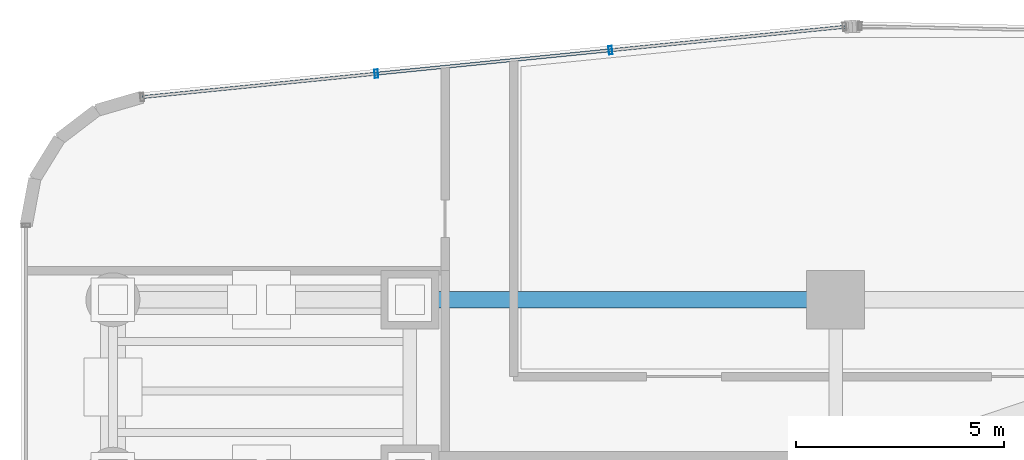
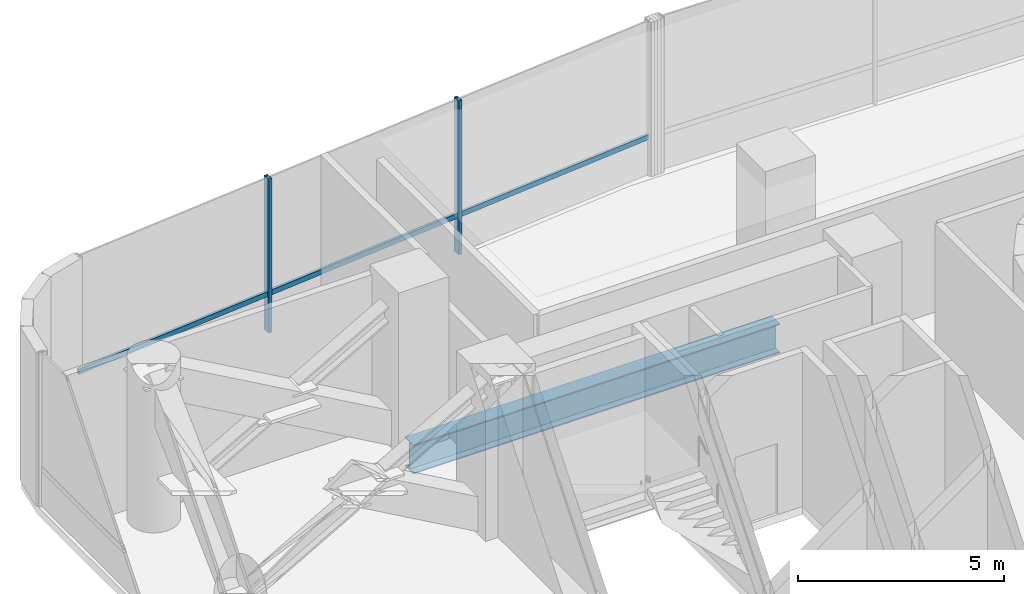
# One storey, part 23 of 39: 3 members, 1 beam, 1 element without a shape of its own.
"""IFC4 building model written with IfcOpenShell, lengths in metres."""

import ifcopenshell
import ifcopenshell.guid

model = None  # the IFC model being written
_history = None  # IfcOwnerHistory: only IFC2X3 demands one
_inside = {}  # id of a spatial element -> (the spatial element, [elements in it])
_under = {}  # id of a project, library or spatial element -> (it, [spatial elements below it])
_declared = {}  # id of a project -> (the project, [libraries it declares])
_typed = {}  # id of a type object -> (the type object, [elements of that type])
_made_of = {}  # id of a material, layer set ... -> (it, [elements and type objects made of it])


def new_model(schema):
    """Start an empty IFC model of exactly this schema.

    Asked for "IFC4X3", IfcOpenShell would pick the latest addendum, in which some entities
    have other attributes; the version numbers below select the first issue.
    IFC2X3 requires an IfcOwnerHistory on every rooted entity: one is made here for all.
    """
    global model, _history
    if schema == "IFC4X3":
        model = ifcopenshell.file(schema_version=(4, 3, 0, 0))
    else:
        model = ifcopenshell.file(schema=schema)
    _inside.clear()
    _under.clear()
    _declared.clear()
    _typed.clear()
    _made_of.clear()
    _history = None
    if model.schema == "IFC2X3":
        org = make("IfcOrganization", Name="unknown")
        user = make(
            "IfcPersonAndOrganization",
            ThePerson=make("IfcPerson", FamilyName="unknown"),
            TheOrganization=org,
        )
        app = make(
            "IfcApplication",
            ApplicationDeveloper=org,
            Version="unknown",
            ApplicationFullName="unknown",
            ApplicationIdentifier="unknown",
        )
        _history = make(
            "IfcOwnerHistory",
            OwningUser=user,
            OwningApplication=app,
            ChangeAction="ADDED",
            CreationDate=0,
        )
    return model


def make(cls, **values):
    """One entity of the class cls with the attributes given. An attribute that is None is left unset."""
    return model.create_entity(
        cls, **{name: value for name, value in values.items() if value is not None}
    )


def rooted(cls, **values):
    """An entity with a GlobalId (a new one), such as an element, a storey or a relation."""
    return make(cls, GlobalId=ifcopenshell.guid.new(), OwnerHistory=_history, **values)


def si_unit(unit_type, name, prefix=None):
    """IfcSIUnit, for example si_unit("LENGTHUNIT", "METRE", prefix="MILLI")."""
    return make("IfcSIUnit", UnitType=unit_type, Prefix=prefix, Name=name)


def assignment(units):
    """IfcUnitAssignment: the units of a project."""
    return None if units is None else make("IfcUnitAssignment", Units=units)


def point(xyz):
    """IfcCartesianPoint."""
    return None if xyz is None else make("IfcCartesianPoint", Coordinates=xyz)


def direction(xyz):
    """IfcDirection."""
    return None if xyz is None else make("IfcDirection", DirectionRatios=xyz)


def frame(location, z_axis=None, x_axis=None):
    """IfcAxis2Placement3D, a coordinate frame: its origin and axes. An axis left out is left unset."""
    return make(
        "IfcAxis2Placement3D",
        Location=point(location),
        Axis=direction(z_axis),
        RefDirection=direction(x_axis),
    )


def frame_2d(location, x_axis=None):
    """IfcAxis2Placement2D, a coordinate frame in the plane: its origin and x axis."""
    return make(
        "IfcAxis2Placement2D", Location=point(location), RefDirection=direction(x_axis)
    )


def origin():
    """The frame at (0, 0, 0) with its axes left unset."""
    return frame((0.0, 0.0, 0.0))


def origin_2d():
    """The frame at (0, 0) in the plane with its x axis left unset."""
    return frame_2d((0.0, 0.0))


def place(relative_to, where):
    """IfcLocalPlacement: puts the frame where relative to a parent placement (None: the world)."""
    return make(
        "IfcLocalPlacement", PlacementRelTo=relative_to, RelativePlacement=where
    )


def context(
    kind, dimensions, precision=None, world=None, true_north=None, identifier=None
):
    """IfcGeometricRepresentationContext, for example the 3D "Model" context."""
    return make(
        "IfcGeometricRepresentationContext",
        ContextIdentifier=identifier,
        ContextType=kind,
        CoordinateSpaceDimension=dimensions,
        Precision=precision,
        WorldCoordinateSystem=world,
        TrueNorth=true_north,
    )


def subcontext(parent, identifier, kind, view, scale=None):
    """IfcGeometricRepresentationSubContext, for example "Body" below "Model"."""
    return make(
        "IfcGeometricRepresentationSubContext",
        ContextIdentifier=identifier,
        ContextType=kind,
        ParentContext=parent,
        TargetScale=scale,
        TargetView=view,
    )


def project(units=None, contexts=None):
    """IfcProject with its units and contexts."""
    return rooted(
        "IfcProject",
        Name="project",
        RepresentationContexts=contexts,
        UnitsInContext=assignment(units),
    )


def spatial(cls, under=None, at=None, **own):
    """A site, building, storey or space (cls), placed at a placement, below another one or the project."""
    s = rooted(cls, ObjectPlacement=at, **own)
    if under is not None:
        _under.setdefault(under.id(), (under, []))[1].append(s)
    return s


def profile(cls, at=None, kind="AREA", **sizes):
    """A parametric profile (cls). Its sizes go by their IFC names, for example OverallWidth=200.0."""
    return make(cls, ProfileType=kind, Position=at, **sizes)


def hollow_rectangle(**sizes):
    """IfcRectangleHollowProfileDef."""
    return profile("IfcRectangleHollowProfileDef", **sizes)


def i_section(**sizes):
    """IfcIShapeProfileDef."""
    return profile("IfcIShapeProfileDef", **sizes)


def extrude(swept, where, along, depth):
    """IfcExtrudedAreaSolid: the profile swept, set in the frame where, extruded along a direction by depth."""
    return make(
        "IfcExtrudedAreaSolid",
        SweptArea=swept,
        Position=where,
        ExtrudedDirection=direction(along),
        Depth=depth,
    )


def shape(context_of_items, identifier, shape_type, items):
    """IfcShapeRepresentation: the items that make up one representation, for example the "Body"."""
    return make(
        "IfcShapeRepresentation",
        ContextOfItems=context_of_items,
        RepresentationIdentifier=identifier,
        RepresentationType=shape_type,
        Items=items,
    )


def source(mapping_origin, context_of_items, identifier, shape_type, items):
    """IfcRepresentationMap: a shape defined once, which mapped items show again and again."""
    return make(
        "IfcRepresentationMap",
        MappingOrigin=mapping_origin,
        MappedRepresentation=shape(context_of_items, identifier, shape_type, items),
    )


def transform(
    local_origin,
    x_axis=None,
    y_axis=None,
    z_axis=None,
    scale=None,
    scale2=None,
    scale3=None,
    uniform=True,
):
    """IfcCartesianTransformationOperator3D, or its non-uniform kind. x_axis, y_axis, z_axis: its Axis1, 2, 3."""
    if uniform:
        return make(
            "IfcCartesianTransformationOperator3D",
            Axis1=direction(x_axis),
            Axis2=direction(y_axis),
            LocalOrigin=point(local_origin),
            Scale=scale,
            Axis3=direction(z_axis),
        )
    return make(
        "IfcCartesianTransformationOperator3DnonUniform",
        Axis1=direction(x_axis),
        Axis2=direction(y_axis),
        LocalOrigin=point(local_origin),
        Scale=scale,
        Axis3=direction(z_axis),
        Scale2=scale2,
        Scale3=scale3,
    )


def mapped(mapping_source, mapping_target):
    """IfcMappedItem: shows the shape of a source again, moved by a transform."""
    return make(
        "IfcMappedItem", MappingSource=mapping_source, MappingTarget=mapping_target
    )


def material(Name=None, Category=None):
    """IfcMaterial."""
    return make("IfcMaterial", Name=Name, Category=Category)


def material_profile(
    of_material, cross_section, Name=None, Category=None, Priority=None
):
    """IfcMaterialProfile: a cross section and its material."""
    return make(
        "IfcMaterialProfile",
        Name=Name,
        Material=of_material,
        Profile=cross_section,
        Priority=Priority,
        Category=Category,
    )


def profile_set(profiles, Name=None, composite=None):
    """IfcMaterialProfileSet."""
    return make(
        "IfcMaterialProfileSet",
        Name=Name,
        MaterialProfiles=profiles,
        CompositeProfile=composite,
    )


def made_of(thing, what):
    """Note that an element or type object is made of a material, layer set ...; save() writes the relation."""
    if what is not None:
        _made_of.setdefault(what.id(), (what, []))[1].append(thing)
    return thing


def type_object(cls, material=None, **own):
    """A type object (cls), such as IfcWallType, which elements share."""
    return made_of(rooted(cls, **own), material)


def element(
    cls,
    number,
    at=None,
    inside=None,
    cuts=None,
    type_object=None,
    material=None,
    context=None,
    identifier="Body",
    shape_type=None,
    held_by="IfcProductDefinitionShape",
    body=None,
    shapes=None,
    **own,
):
    """One element of the class cls, such as IfcWall. Its Tag is "e" and its number.

    at: its placement. inside: the storey or other place that contains it. cuts: it is an
    opening in that element (IfcRelVoidsElement). A single representation is given by context,
    identifier, shape_type and body (its items); several are given by shapes. held_by: the class
    of the entity that holds the representations. save() writes the other relations.
    """
    e = rooted(cls, Tag="e%d" % number, ObjectPlacement=at, **own)
    if body is not None:
        shapes = [shape(context, identifier, shape_type, body)]
    if shapes is not None:
        e.Representation = make(held_by, Representations=shapes)
    if inside is not None:
        _inside.setdefault(inside.id(), (inside, []))[1].append(e)
    if cuts is not None:
        rooted(
            "IfcRelVoidsElement", RelatingBuildingElement=cuts, RelatedOpeningElement=e
        )
    if type_object is not None:
        _typed.setdefault(type_object.id(), (type_object, []))[1].append(e)
    return made_of(e, material)


def aggregate(whole, parts):
    """IfcRelAggregates: a whole, such as a stair, and the parts it consists of."""
    return rooted("IfcRelAggregates", RelatingObject=whole, RelatedObjects=parts)


def save(model, path):
    """Write the relations noted so far, then the file.

    IfcRelAggregates (storeys below a building ...), IfcRelContainedInSpatialStructure (elements
    in a storey), IfcRelDefinesByType, IfcRelAssociatesMaterial and IfcRelDeclares: one each for
    every whole, place, type object, material and project.
    """
    for whole, parts in _under.values():
        aggregate(whole, parts)
    for where, things in _inside.values():
        rooted(
            "IfcRelContainedInSpatialStructure",
            RelatedElements=things,
            RelatingStructure=where,
        )
    for kind, things in _typed.values():
        rooted("IfcRelDefinesByType", RelatedObjects=things, RelatingType=kind)
    for what, things in _made_of.values():
        rooted("IfcRelAssociatesMaterial", RelatedObjects=things, RelatingMaterial=what)
    for by, libraries in _declared.values():
        rooted("IfcRelDeclares", RelatingContext=by, RelatedDefinitions=libraries)
    model.write(path)


model = new_model("IFC4")

# Units and contexts
model_context = context("Model", 3, precision=1e-05, world=origin(), true_north=direction((0.0, 1.0)))
body_context = subcontext(model_context, "Body", "Model", "MODEL_VIEW")
ifc_project = project(units=[si_unit("LENGTHUNIT", "METRE"), si_unit("AREAUNIT", "SQUARE_METRE"), si_unit("VOLUMEUNIT", "CUBIC_METRE"), si_unit("PLANEANGLEUNIT", "RADIAN"), si_unit("MASSUNIT", "GRAM", prefix="KILO")], contexts=[model_context])

# Site, building, storey
site_placement = place(None, origin())
site = spatial("IfcSite", under=ifc_project, at=site_placement, CompositionType="ELEMENT")
building_placement = place(site_placement, origin())
building = spatial("IfcBuilding", under=site, at=building_placement, Name="Valdorenza Pilgrim Sanctuary Tower", CompositionType="ELEMENT")
storey_placement = place(building_placement, frame((0.0, 0.0, 96.300048828125)))
storey = spatial("IfcBuildingStorey", under=building, at=storey_placement, Name="L24", CompositionType="ELEMENT", Elevation=96.300048828125)

# Beam
ifc_material_1 = material(Name="Steel ASTM A992 Grade 50", Category="steel")
ifc_material_profile_1 = material_profile(ifc_material_1, i_section(OverallWidth=0.39990234375, OverallDepth=0.862060546875, WebThickness=0.019775390625, FlangeThickness=0.032470703125, at=origin_2d()), Name="W33X221")
ifc_profile_set_1 = profile_set([ifc_material_profile_1], Name="Steel ASTM A992 Grade 50")
beam_type = type_object("IfcBeamType", Name="STR-BM-GRD-W33", PredefinedType="BEAM", material=ifc_profile_set_1)
shared_shape_1 = source(origin(), body_context, "Body", "SweptSolid", [
    extrude(i_section(OverallWidth=0.39990234375, OverallDepth=0.862060546875, WebThickness=0.019775390625, FlangeThickness=0.032470703125, at=origin_2d()), origin(), (0.0, 0.0, 1.0), 10.25),
])
beam_placement = place(storey_placement, frame((-22.64990234375, 14.800048828125, -0.671142578125), z_axis=(1.0, 0.0, 0.0), x_axis=(0.0, 1.0, 0.0)))
element("IfcBeam", 1, at=beam_placement, inside=storey, type_object=beam_type, Name="L24 Floor Girder CA-XC-N2", PredefinedType="BEAM", context=body_context, shape_type="MappedRepresentation", body=[
    mapped(shared_shape_1, transform((0.0, 0.0, 0.0), x_axis=(1.0, 0.0, 0.0), y_axis=(0.0, 1.0, 0.0), z_axis=(0.0, 0.0, 1.0), scale=1.0)),
])

# Curtain wall, members
ifc_material_2 = material(Name="Curtain-wall IGU glazing", Category="glass")
curtain_wall_type = type_object("IfcCurtainWallType", Name="CW-SYS-02", PredefinedType="NOTDEFINED", material=ifc_material_2)
curtain_wall_placement = place(storey_placement, origin())
curtain_wall = element("IfcCurtainWall", 2, at=curtain_wall_placement, inside=storey, type_object=curtain_wall_type, Name="L24 Curtain Wall CW-L24-1-6", PredefinedType="NOTDEFINED")
ifc_material_3 = material(Name="Anodised aluminium AW-6060", Category="aluminium")
ifc_material_profile_2 = material_profile(ifc_material_3, hollow_rectangle(XDim=0.074951171875, YDim=0.14990234375, WallThickness=0.00390625, at=origin_2d()), Name="ALU-T 150x75x4")
ifc_profile_set_2 = profile_set([ifc_material_profile_2], Name="Anodised aluminium AW-6060")
member_type_1 = type_object("IfcMemberType", Name="CW-TRN-02", PredefinedType="USERDEFINED", material=ifc_profile_set_2)
shared_shape_2 = source(origin(), body_context, "Body", "SweptSolid", [
    extrude(hollow_rectangle(XDim=0.074951171875, YDim=0.14990234375, WallThickness=0.00390625, at=origin_2d()), origin(), (0.0, 0.0, 1.0), 17.0),
])
member_1_placement = place(storey_placement, frame((-29.097412109375, 19.6796875, 1.119873046875), z_axis=(0.99503662143, 0.099509406661, 0.0), x_axis=(-0.099509406661, 0.99503662143, 0.0)))
member_1 = element("IfcMember", 3, at=member_1_placement, type_object=member_type_1, Name="CW-L24-1-6 Transom 1", ObjectType="TRANSOM", PredefinedType="USERDEFINED", context=body_context, shape_type="MappedRepresentation", body=[
    mapped(shared_shape_2, transform((0.0, 0.0, 0.0), x_axis=(1.0, 0.0, 0.0), y_axis=(0.0, 1.0, 0.0), z_axis=(0.0, 0.0, 1.0), scale=1.0)),
])
ifc_material_profile_3 = material_profile(ifc_material_3, hollow_rectangle(XDim=0.0849609375, YDim=0.199951171875, WallThickness=0.0048828125, at=origin_2d()), Name="ALU-M 200x85x5")
ifc_profile_set_3 = profile_set([ifc_material_profile_3], Name="Anodised aluminium AW-6060")
member_type_2 = type_object("IfcMemberType", Name="CW-MUL-02", PredefinedType="MULLION", material=ifc_profile_set_3)
shared_shape_3 = source(origin(), body_context, "Body", "SweptSolid", [
    extrude(hollow_rectangle(XDim=0.0849609375, YDim=0.199951171875, WallThickness=0.0048828125, at=origin_2d()), origin(), (0.0, 0.0, 1.0), 4.56005859375),
])
member_2_placement = place(storey_placement, frame((-23.458984375, 20.24365234375, 0.0), z_axis=(0.0, 0.0, 1.0), x_axis=(0.995038220239, 0.099493418189, 0.0)))
member_2 = element("IfcMember", 4, at=member_2_placement, type_object=member_type_2, Name="CW-L24-1-6 Mullion 2", PredefinedType="MULLION", context=body_context, shape_type="MappedRepresentation", body=[
    mapped(shared_shape_3, transform((0.0, 0.0, 0.0), x_axis=(1.0, 0.0, 0.0), y_axis=(0.0, 1.0, 0.0), z_axis=(0.0, 0.0, 1.0), scale=1.0)),
])
member_3_placement = place(storey_placement, frame((-17.820556640625, 20.8076171875, 0.0), z_axis=(0.0, 0.0, 1.0), x_axis=(0.995038220239, 0.099493418189, 0.0)))
member_3 = element("IfcMember", 5, at=member_3_placement, type_object=member_type_2, Name="CW-L24-1-6 Mullion 3", PredefinedType="MULLION", context=body_context, shape_type="MappedRepresentation", body=[
    mapped(shared_shape_3, transform((0.0, 0.0, 0.0), x_axis=(1.0, 0.0, 0.0), y_axis=(0.0, 1.0, 0.0), z_axis=(0.0, 0.0, 1.0), scale=1.0)),
])
aggregate(curtain_wall, [member_2, member_3, member_1])

save(model, "model.ifc")
